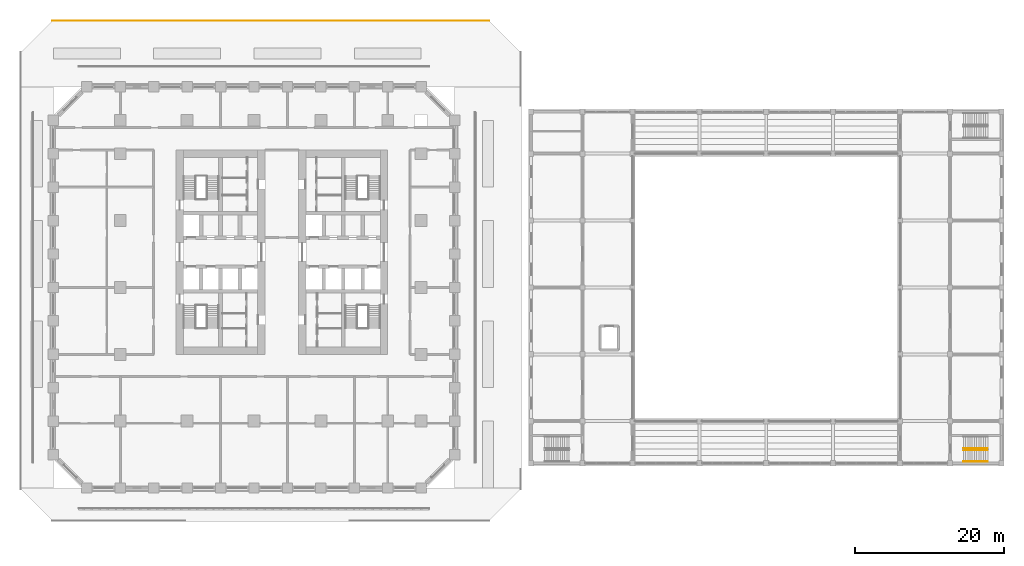
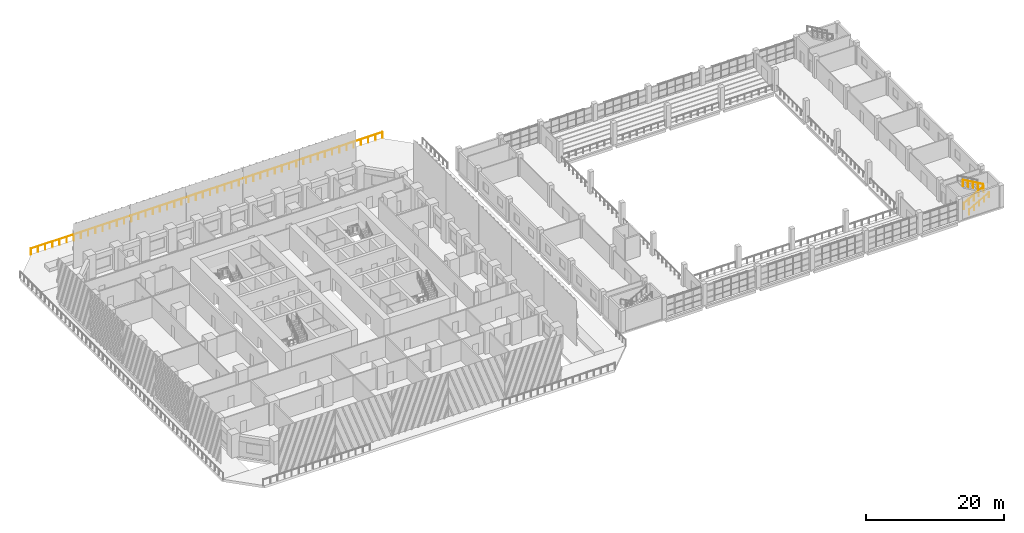
# One storey, part 34 of 36: 4 railings.
"""IFC4 building model written with IfcOpenShell, lengths in metres."""

from ifc_helpers import new_model, si_unit, direction, frame, origin, origin_2d, place, context, subcontext, project, spatial, circle, extrude, material, type_object, element, save


model = new_model("IFC4")

# Units and contexts
model_context = context("Model", 3, precision=1e-05, world=origin(), true_north=direction((0.0, 1.0)))
body_context = subcontext(model_context, "Body", "Model", "MODEL_VIEW")
ifc_project = project(units=[si_unit("LENGTHUNIT", "METRE"), si_unit("AREAUNIT", "SQUARE_METRE"), si_unit("VOLUMEUNIT", "CUBIC_METRE"), si_unit("PLANEANGLEUNIT", "RADIAN"), si_unit("MASSUNIT", "GRAM", prefix="KILO")], contexts=[model_context])

# Site, building, storey
site_placement = place(None, origin())
site = spatial("IfcSite", under=ifc_project, at=site_placement, CompositionType="ELEMENT")
building_placement = place(site_placement, origin())
building = spatial("IfcBuilding", under=site, at=building_placement, Name="Corbel Stack Research Tower", CompositionType="ELEMENT")
storey_placement = place(building_placement, frame((0.0, 0.0, 7.199951171875)))
storey = spatial("IfcBuildingStorey", under=building, at=storey_placement, Name="L01", CompositionType="ELEMENT", Elevation=7.199951171875)

# Railings
ifc_material_1 = material(Name="Steel S235", Category="steel")
railing_type_1 = type_object("IfcRailingType", Name="HR1 guard 1100", PredefinedType="GUARDRAIL", material=ifc_material_1)
railing_1_placement = place(storey_placement, frame((95.47509765625, -21.89990234375, 0.1708984375)))
element("IfcRailing", 1, at=railing_1_placement, inside=storey, type_object=railing_type_1, Name="L01 HS3 stair guard 1", PredefinedType="GUARDRAIL", context=body_context, shape_type="SweptSolid", body=[
    extrude(circle(Radius=0.02392578125, at=origin_2d()), frame((0.0, 0.0, 1.076171875), z_axis=(0.868974139896, 0.0, 0.494857498874), x_axis=(0.0, 1.0, 0.0)), (0.0, 0.0, 1.0), 3.79736328125),
    extrude(circle(Radius=0.02099609375, at=origin_2d()), origin(), (0.0, 0.0, 1.0), 1.052001953125),
    extrude(circle(Radius=0.02099609375, at=origin_2d()), frame((0.824951171875, 0.0, 0.4697265625)), (0.0, 0.0, 1.0), 1.052001953125),
    extrude(circle(Radius=0.02099609375, at=origin_2d()), frame((1.64990234375, 0.0, 0.939453125)), (0.0, 0.0, 1.0), 1.052001953125),
    extrude(circle(Radius=0.02099609375, at=origin_2d()), frame((2.474853515625, 0.0, 1.409423828125)), (0.0, 0.0, 1.0), 1.052001953125),
    extrude(circle(Radius=0.02099609375, at=origin_2d()), frame((3.2998046875, 0.0, 1.879150390625)), (0.0, 0.0, 1.0), 1.052001953125),
])
railing_2_placement = place(storey_placement, frame((98.77490234375, -21.64990234375, 2.220947265625)))
element("IfcRailing", 2, at=railing_2_placement, inside=storey, type_object=railing_type_1, Name="L01 HS3 stair guard 3", PredefinedType="GUARDRAIL", context=body_context, shape_type="SweptSolid", body=[
    extrude(circle(Radius=0.02392578125, at=origin_2d()), frame((0.0, 0.0, 1.076171875), z_axis=(-0.868974139896, 0.0, 0.494857498874), x_axis=(0.0, -1.0, 0.0)), (0.0, 0.0, 1.0), 3.79736328125),
    extrude(circle(Radius=0.02099609375, at=origin_2d()), origin(), (0.0, 0.0, 1.0), 1.052001953125),
    extrude(circle(Radius=0.02099609375, at=origin_2d()), frame((-0.824951171875, 0.0, 0.4697265625)), (0.0, 0.0, 1.0), 1.052001953125),
    extrude(circle(Radius=0.02099609375, at=origin_2d()), frame((-1.64990234375, 0.0, 0.939453125)), (0.0, 0.0, 1.0), 1.052001953125),
    extrude(circle(Radius=0.02099609375, at=origin_2d()), frame((-2.474853515625, 0.0, 1.409423828125)), (0.0, 0.0, 1.0), 1.052001953125),
    extrude(circle(Radius=0.02099609375, at=origin_2d()), frame((-3.2998046875, 0.0, 1.879150390625)), (0.0, 0.0, 1.0), 1.052001953125),
])
ifc_material_2 = material(Name="Steel S235", Category="steel")
railing_type_2 = type_object("IfcRailingType", Name="HR2 handrail 900", PredefinedType="HANDRAIL", material=ifc_material_2)
railing_3_placement = place(storey_placement, frame((95.47509765625, -23.449951171875, 0.1708984375)))
element("IfcRailing", 3, at=railing_3_placement, inside=storey, type_object=railing_type_2, Name="L01 HS3 stair handrail 1", PredefinedType="HANDRAIL", context=body_context, shape_type="SweptSolid", body=[
    extrude(circle(Radius=0.02392578125, at=origin_2d()), frame((0.0, 0.0, 0.8759765625), z_axis=(0.868974139896, 0.0, 0.494857498874), x_axis=(0.0, 1.0, 0.0)), (0.0, 0.0, 1.0), 3.79736328125),
    extrude(circle(Radius=0.02099609375, at=origin_2d()), origin(), (0.0, 0.0, 1.0), 0.851806640625),
    extrude(circle(Radius=0.02099609375, at=origin_2d()), frame((0.824951171875, 0.0, 0.4697265625)), (0.0, 0.0, 1.0), 0.851806640625),
    extrude(circle(Radius=0.02099609375, at=origin_2d()), frame((1.64990234375, 0.0, 0.939453125)), (0.0, 0.0, 1.0), 0.851806640625),
    extrude(circle(Radius=0.02099609375, at=origin_2d()), frame((2.474853515625, 0.0, 1.409423828125)), (0.0, 0.0, 1.0), 0.851806640625),
    extrude(circle(Radius=0.02099609375, at=origin_2d()), frame((3.2998046875, 0.0, 1.879150390625)), (0.0, 0.0, 1.0), 0.851806640625),
])
ifc_material_3 = material(Name="Steel S235", Category="steel")
railing_type_3 = type_object("IfcRailingType", Name="SR1 guard 1100", PredefinedType="GUARDRAIL", material=ifc_material_3)
railing_4_placement = place(storey_placement, frame((-27.142333984375, 35.89990234375, 0.0)))
element("IfcRailing", 4, at=railing_4_placement, inside=storey, type_object=railing_type_3, Name="Garden deck guard 4", PredefinedType="GUARDRAIL", context=body_context, shape_type="SweptSolid", body=[
    extrude(circle(Radius=0.02392578125, at=origin_2d()), frame((0.0, 0.0, 1.076171875), z_axis=(1.0, 0.0, 0.0), x_axis=(0.0, 1.0, 0.0)), (0.0, 0.0, 1.0), 58.78466796875),
    extrude(circle(Radius=0.02099609375, at=origin_2d()), origin(), (0.0, 0.0, 1.0), 1.052001953125),
    extrude(circle(Radius=0.02099609375, at=origin_2d()), frame((1.19970703125, 0.0, 0.0)), (0.0, 0.0, 1.0), 1.052001953125),
    extrude(circle(Radius=0.02099609375, at=origin_2d()), frame((2.3994140625, 0.0, 0.0)), (0.0, 0.0, 1.0), 1.052001953125),
    extrude(circle(Radius=0.02099609375, at=origin_2d()), frame((3.59912109375, 0.0, 0.0)), (0.0, 0.0, 1.0), 1.052001953125),
    extrude(circle(Radius=0.02099609375, at=origin_2d()), frame((4.798828125, 0.0, 0.0)), (0.0, 0.0, 1.0), 1.052001953125),
    extrude(circle(Radius=0.02099609375, at=origin_2d()), frame((5.99853515625, 0.0, 0.0)), (0.0, 0.0, 1.0), 1.052001953125),
    extrude(circle(Radius=0.02099609375, at=origin_2d()), frame((7.1982421875, 0.0, 0.0)), (0.0, 0.0, 1.0), 1.052001953125),
    extrude(circle(Radius=0.02099609375, at=origin_2d()), frame((8.397705078125, 0.0, 0.0)), (0.0, 0.0, 1.0), 1.052001953125),
    extrude(circle(Radius=0.02099609375, at=origin_2d()), frame((9.597412109375, 0.0, 0.0)), (0.0, 0.0, 1.0), 1.052001953125),
    extrude(circle(Radius=0.02099609375, at=origin_2d()), frame((10.797119140625, 0.0, 0.0)), (0.0, 0.0, 1.0), 1.052001953125),
    extrude(circle(Radius=0.02099609375, at=origin_2d()), frame((11.996826171875, 0.0, 0.0)), (0.0, 0.0, 1.0), 1.052001953125),
    extrude(circle(Radius=0.02099609375, at=origin_2d()), frame((13.196533203125, 0.0, 0.0)), (0.0, 0.0, 1.0), 1.052001953125),
    extrude(circle(Radius=0.02099609375, at=origin_2d()), frame((14.396240234375, 0.0, 0.0)), (0.0, 0.0, 1.0), 1.052001953125),
    extrude(circle(Radius=0.02099609375, at=origin_2d()), frame((15.595947265625, 0.0, 0.0)), (0.0, 0.0, 1.0), 1.052001953125),
    extrude(circle(Radius=0.02099609375, at=origin_2d()), frame((16.795654296875, 0.0, 0.0)), (0.0, 0.0, 1.0), 1.052001953125),
    extrude(circle(Radius=0.02099609375, at=origin_2d()), frame((17.995361328125, 0.0, 0.0)), (0.0, 0.0, 1.0), 1.052001953125),
    extrude(circle(Radius=0.02099609375, at=origin_2d()), frame((19.195068359375, 0.0, 0.0)), (0.0, 0.0, 1.0), 1.052001953125),
    extrude(circle(Radius=0.02099609375, at=origin_2d()), frame((20.394775390625, 0.0, 0.0)), (0.0, 0.0, 1.0), 1.052001953125),
    extrude(circle(Radius=0.02099609375, at=origin_2d()), frame((21.594482421875, 0.0, 0.0)), (0.0, 0.0, 1.0), 1.052001953125),
    extrude(circle(Radius=0.02099609375, at=origin_2d()), frame((22.7939453125, 0.0, 0.0)), (0.0, 0.0, 1.0), 1.052001953125),
    extrude(circle(Radius=0.02099609375, at=origin_2d()), frame((23.99365234375, 0.0, 0.0)), (0.0, 0.0, 1.0), 1.052001953125),
    extrude(circle(Radius=0.02099609375, at=origin_2d()), frame((25.193359375, 0.0, 0.0)), (0.0, 0.0, 1.0), 1.052001953125),
    extrude(circle(Radius=0.02099609375, at=origin_2d()), frame((26.39306640625, 0.0, 0.0)), (0.0, 0.0, 1.0), 1.052001953125),
    extrude(circle(Radius=0.02099609375, at=origin_2d()), frame((27.5927734375, 0.0, 0.0)), (0.0, 0.0, 1.0), 1.052001953125),
    extrude(circle(Radius=0.02099609375, at=origin_2d()), frame((28.79248046875, 0.0, 0.0)), (0.0, 0.0, 1.0), 1.052001953125),
    extrude(circle(Radius=0.02099609375, at=origin_2d()), frame((29.9921875, 0.0, 0.0)), (0.0, 0.0, 1.0), 1.052001953125),
    extrude(circle(Radius=0.02099609375, at=origin_2d()), frame((31.19189453125, 0.0, 0.0)), (0.0, 0.0, 1.0), 1.052001953125),
    extrude(circle(Radius=0.02099609375, at=origin_2d()), frame((32.3916015625, 0.0, 0.0)), (0.0, 0.0, 1.0), 1.052001953125),
    extrude(circle(Radius=0.02099609375, at=origin_2d()), frame((33.59130859375, 0.0, 0.0)), (0.0, 0.0, 1.0), 1.052001953125),
    extrude(circle(Radius=0.02099609375, at=origin_2d()), frame((34.791015625, 0.0, 0.0)), (0.0, 0.0, 1.0), 1.052001953125),
    extrude(circle(Radius=0.02099609375, at=origin_2d()), frame((35.99072265625, 0.0, 0.0)), (0.0, 0.0, 1.0), 1.052001953125),
    extrude(circle(Radius=0.02099609375, at=origin_2d()), frame((37.190185546875, 0.0, 0.0)), (0.0, 0.0, 1.0), 1.052001953125),
    extrude(circle(Radius=0.02099609375, at=origin_2d()), frame((38.389892578125, 0.0, 0.0)), (0.0, 0.0, 1.0), 1.052001953125),
    extrude(circle(Radius=0.02099609375, at=origin_2d()), frame((39.589599609375, 0.0, 0.0)), (0.0, 0.0, 1.0), 1.052001953125),
    extrude(circle(Radius=0.02099609375, at=origin_2d()), frame((40.789306640625, 0.0, 0.0)), (0.0, 0.0, 1.0), 1.052001953125),
    extrude(circle(Radius=0.02099609375, at=origin_2d()), frame((41.989013671875, 0.0, 0.0)), (0.0, 0.0, 1.0), 1.052001953125),
    extrude(circle(Radius=0.02099609375, at=origin_2d()), frame((43.188720703125, 0.0, 0.0)), (0.0, 0.0, 1.0), 1.052001953125),
    extrude(circle(Radius=0.02099609375, at=origin_2d()), frame((44.388427734375, 0.0, 0.0)), (0.0, 0.0, 1.0), 1.052001953125),
    extrude(circle(Radius=0.02099609375, at=origin_2d()), frame((45.588134765625, 0.0, 0.0)), (0.0, 0.0, 1.0), 1.052001953125),
    extrude(circle(Radius=0.02099609375, at=origin_2d()), frame((46.787841796875, 0.0, 0.0)), (0.0, 0.0, 1.0), 1.052001953125),
    extrude(circle(Radius=0.02099609375, at=origin_2d()), frame((47.987548828125, 0.0, 0.0)), (0.0, 0.0, 1.0), 1.052001953125),
    extrude(circle(Radius=0.02099609375, at=origin_2d()), frame((49.187255859375, 0.0, 0.0)), (0.0, 0.0, 1.0), 1.052001953125),
    extrude(circle(Radius=0.02099609375, at=origin_2d()), frame((50.386962890625, 0.0, 0.0)), (0.0, 0.0, 1.0), 1.052001953125),
    extrude(circle(Radius=0.02099609375, at=origin_2d()), frame((51.58642578125, 0.0, 0.0)), (0.0, 0.0, 1.0), 1.052001953125),
    extrude(circle(Radius=0.02099609375, at=origin_2d()), frame((52.7861328125, 0.0, 0.0)), (0.0, 0.0, 1.0), 1.052001953125),
    extrude(circle(Radius=0.02099609375, at=origin_2d()), frame((53.98583984375, 0.0, 0.0)), (0.0, 0.0, 1.0), 1.052001953125),
    extrude(circle(Radius=0.02099609375, at=origin_2d()), frame((55.185546875, 0.0, 0.0)), (0.0, 0.0, 1.0), 1.052001953125),
    extrude(circle(Radius=0.02099609375, at=origin_2d()), frame((56.38525390625, 0.0, 0.0)), (0.0, 0.0, 1.0), 1.052001953125),
    extrude(circle(Radius=0.02099609375, at=origin_2d()), frame((57.5849609375, 0.0, 0.0)), (0.0, 0.0, 1.0), 1.052001953125),
    extrude(circle(Radius=0.02099609375, at=origin_2d()), frame((58.78466796875, 0.0, 0.0)), (0.0, 0.0, 1.0), 1.052001953125),
])

save(model, "model.ifc")
